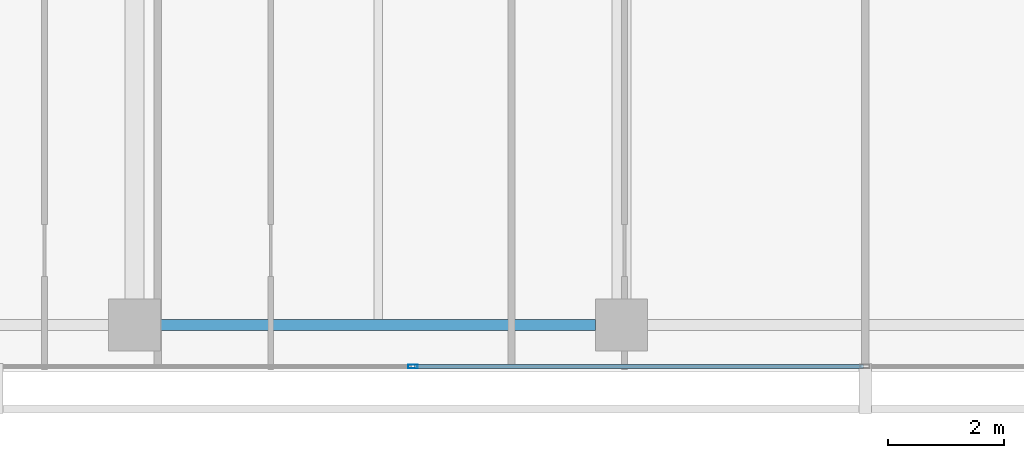
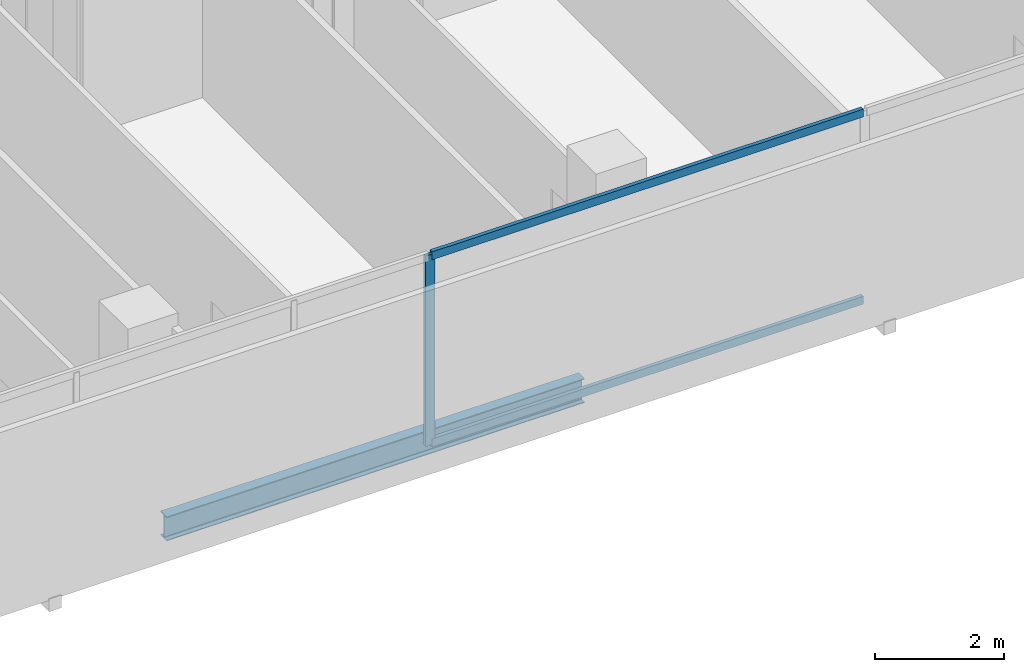
# One storey, part 7 of 40: 3 members, 1 beam, 1 element without a shape of its own.
"""IFC4 building model written with IfcOpenShell, lengths in metres."""

from ifc_helpers import new_model, si_unit, direction, frame, origin, origin_2d, place, context, subcontext, project, spatial, hollow_rectangle, i_section, extrude, material, layer, layer_set, material_profile, profile_set, type_object, element, aggregate, save


model = new_model("IFC4")

# Units and contexts
model_context = context("Model", 3, precision=1e-05, world=origin(), true_north=direction((0.0, 1.0)))
body_context = subcontext(model_context, "Body", "Model", "MODEL_VIEW")
ifc_project = project(units=[si_unit("LENGTHUNIT", "METRE"), si_unit("AREAUNIT", "SQUARE_METRE"), si_unit("VOLUMEUNIT", "CUBIC_METRE"), si_unit("PLANEANGLEUNIT", "RADIAN"), si_unit("MASSUNIT", "GRAM", prefix="KILO")], contexts=[model_context])

# Site, building, storey
site_placement = place(None, origin())
site = spatial("IfcSite", under=ifc_project, at=site_placement, CompositionType="ELEMENT")
building_placement = place(site_placement, origin())
building = spatial("IfcBuilding", under=site, at=building_placement, Name="Maruvema Waterfront Hotel and Observation Tower", CompositionType="ELEMENT")
storey_placement = place(building_placement, frame((0.0, 0.0, 34.64990234375)))
storey = spatial("IfcBuildingStorey", under=building, at=storey_placement, Name="L07", CompositionType="ELEMENT", Elevation=34.64990234375)

# Curtain wall, members
ifc_material_1 = material(Name="Anodised bronze aluminium and solar-control low-E IGU", Category="aluminium")
ifc_layer = layer(ifc_material_1, 0.159912109375, Name="Zone 1 Bronze Inner Thermal Curtain Wall System CW-02")
ifc_layer_set = layer_set([ifc_layer], Name="Anodised bronze aluminium and solar-control low-E IGU")
curtain_wall_type = type_object("IfcCurtainWallType", Name="Zone 1 Bronze Inner Thermal Curtain Wall System CW-02", PredefinedType="USERDEFINED", material=ifc_layer_set)
curtain_wall_placement = place(storey_placement, origin())
curtain_wall = element("IfcCurtainWall", 1, at=curtain_wall_placement, inside=storey, type_object=curtain_wall_type, Name="L07 Curtain Wall CW-L07-S", ObjectType="UNITISED CURTAIN WALL", PredefinedType="USERDEFINED")
ifc_material_2 = material(Name="Anodised architectural bronze aluminium", Category="aluminium")
ifc_material_profile_1 = material_profile(ifc_material_2, hollow_rectangle(XDim=0.070068359375, YDim=0.14990234375, WallThickness=0.00390625, at=origin_2d()), Name="ALU-T70x150")
ifc_profile_set_1 = profile_set([ifc_material_profile_1], Name="Anodised architectural bronze aluminium")
member_type_1 = type_object("IfcMemberType", Name="Curtain Wall Horizontal Transom ALU-T70x150", PredefinedType="USERDEFINED", material=ifc_profile_set_1)
member_1_placement = place(storey_placement, frame((30.030029296875, 0.080078125, 0.030029296875), z_axis=(1.0, 0.0, 0.0), x_axis=(0.0, 1.0, 0.0)))
member_1 = element("IfcMember", 2, at=member_1_placement, type_object=member_type_1, Name="CW-02 transom 3.1", ObjectType="TRANSOM", PredefinedType="USERDEFINED", context=body_context, shape_type="SweptSolid", body=[
    extrude(hollow_rectangle(XDim=0.070068359375, YDim=0.14990234375, WallThickness=0.00390625, at=origin_2d()), origin(), (0.0, 0.0, 1.0), 7.739990234375),
])
member_2_placement = place(storey_placement, frame((30.030029296875, 0.080078125, 3.580078125), z_axis=(1.0, 0.0, 0.0), x_axis=(0.0, 1.0, 0.0)))
member_2 = element("IfcMember", 3, at=member_2_placement, type_object=member_type_1, Name="CW-02 transom 3.2", ObjectType="TRANSOM", PredefinedType="USERDEFINED", context=body_context, shape_type="SweptSolid", body=[
    extrude(hollow_rectangle(XDim=0.070068359375, YDim=0.14990234375, WallThickness=0.00390625, at=origin_2d()), origin(), (0.0, 0.0, 1.0), 7.739990234375),
])
ifc_material_3 = material(Name="Anodised architectural bronze aluminium", Category="aluminium")
ifc_material_profile_2 = material_profile(ifc_material_3, hollow_rectangle(XDim=0.06494140625, YDim=0.1650390625, WallThickness=0.00390625, at=origin_2d()), Name="ALU-M65x165")
ifc_profile_set_2 = profile_set([ifc_material_profile_2], Name="Anodised architectural bronze aluminium")
member_type_2 = type_object("IfcMemberType", Name="Curtain Wall Primary Mullion ALU-M65x165", PredefinedType="MULLION", material=ifc_profile_set_2)
member_3_placement = place(storey_placement, frame((30.0, 0.080078125, 0.0), z_axis=(0.0, 0.0, 1.0), x_axis=(0.0, 1.0, 0.0)))
member_3 = element("IfcMember", 4, at=member_3_placement, type_object=member_type_2, Name="CW-02 mullion 3", PredefinedType="MULLION", context=body_context, shape_type="SweptSolid", body=[
    extrude(hollow_rectangle(XDim=0.06494140625, YDim=0.1650390625, WallThickness=0.00390625, at=origin_2d()), origin(), (0.0, 0.0, 1.0), 3.610107421875),
])
aggregate(curtain_wall, [member_3, member_1, member_2])

# Beam
ifc_material_4 = material(Name="Steel ASTM A572 Grade 50", Category="steel")
ifc_material_profile_3 = material_profile(ifc_material_4, i_section(OverallWidth=0.18994140625, OverallDepth=0.45703125, WebThickness=0.009033203125, FlangeThickness=0.014404296875, FilletRadius=0.014892578125, at=origin_2d()), Name="W460x74.0")
ifc_profile_set_3 = profile_set([ifc_material_profile_3], Name="Steel ASTM A572 Grade 50")
beam_type = type_object("IfcBeamType", Name="Perimeter Spandrel Beam W460x74.0", PredefinedType="SPANDREL", material=ifc_profile_set_3)
beam_placement = place(storey_placement, frame((25.64990234375, 0.800048828125, -0.468505859375), z_axis=(1.0, 0.0, 0.0), x_axis=(0.0, 1.0, 0.0)))
element("IfcBeam", 5, at=beam_placement, inside=storey, type_object=beam_type, Name="L07 Floor Girder EW-02", PredefinedType="SPANDREL", context=body_context, shape_type="SweptSolid", body=[
    extrude(i_section(OverallWidth=0.18994140625, OverallDepth=0.45703125, WebThickness=0.009033203125, FlangeThickness=0.014404296875, FilletRadius=0.014892578125, at=origin_2d()), origin(), (0.0, 0.0, 1.0), 7.5),
])

save(model, "model.ifc")
